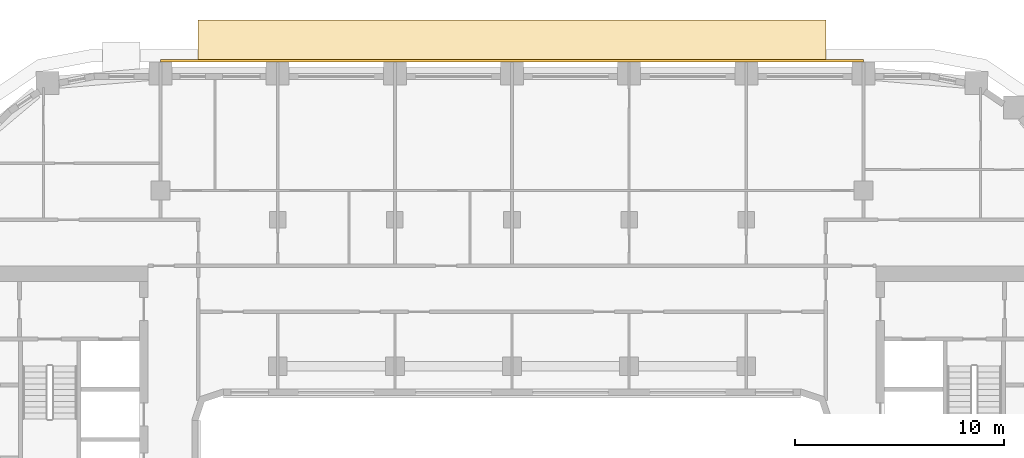
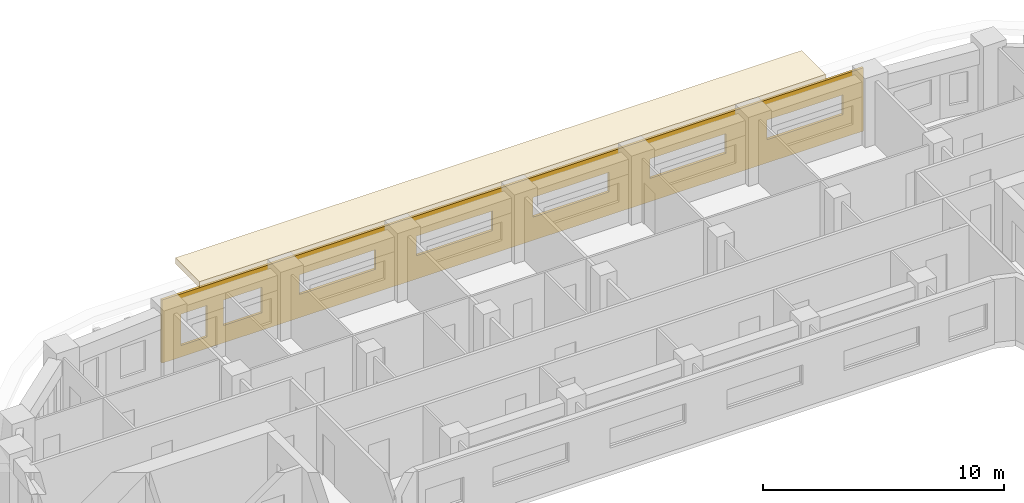
# One storey, part 21 of 22: 2 coverings.
"""IFC4 building model written with IfcOpenShell, lengths in metres."""

from ifc_helpers import new_model, si_unit, direction, frame, origin, place, context, subcontext, project, spatial, polyline, outline, extrude, material, layer, layer_set, type_object, element, save


model = new_model("IFC4")

# Units and contexts
model_context = context("Model", 3, precision=1e-05, world=origin(), true_north=direction((0.0, 1.0)))
body_context = subcontext(model_context, "Body", "Model", "MODEL_VIEW")
ifc_project = project(units=[si_unit("LENGTHUNIT", "METRE"), si_unit("AREAUNIT", "SQUARE_METRE"), si_unit("VOLUMEUNIT", "CUBIC_METRE"), si_unit("PLANEANGLEUNIT", "RADIAN"), si_unit("MASSUNIT", "GRAM", prefix="KILO")], contexts=[model_context])

# Site, building, storey
site_placement = place(None, origin())
site = spatial("IfcSite", under=ifc_project, at=site_placement, CompositionType="ELEMENT")
building_placement = place(site_placement, origin())
building = spatial("IfcBuilding", under=site, at=building_placement, Name="Kiln Ring Residences", CompositionType="ELEMENT")
storey_placement = place(building_placement, frame((0.0, 0.0, 150.10009765625)))
storey = spatial("IfcBuildingStorey", under=building, at=storey_placement, Name="L38", CompositionType="ELEMENT", Elevation=150.10009765625)

# Coverings
ifc_material_1 = material(Name="Brick masonry, dark clay brick", Category="masonry")
ifc_layer_1 = layer(ifc_material_1, 0.1201171875)
ifc_layer_set_1 = layer_set([ifc_layer_1], Name="RAINSCREEN PANEL 120")
covering_type_1 = type_object("IfcCoveringType", Name="RAINSCREEN PANEL 120", PredefinedType="CLADDING", material=ifc_layer_set_1)
covering_1_placement = place(storey_placement, frame((16.800048828125, 23.010009765625, 0.0), z_axis=(0.0, 0.0, 1.0), x_axis=(-1.0, 0.0, 0.0)))
element("IfcCovering", 1, at=covering_1_placement, inside=storey, type_object=covering_type_1, Name="RAINSCREEN L38", PredefinedType="CLADDING", context=body_context, shape_type="SweptSolid", body=[
    extrude(outline(polyline([(0.0, 0.0), (33.60009765625, 0.0), (33.60009765625, 3.199951171875), (0.0, 3.199951171875), (0.0, 0.0)]), holes=[polyline([(32.6826171875, 0.579833984375), (32.6826171875, 2.169921875), (31.4423828125, 2.169921875), (31.4423828125, 0.579833984375), (32.6826171875, 0.579833984375)]), polyline([(28.8173828125, 0.8798828125), (30.657470703125, 0.8798828125), (30.657470703125, 2.169921875), (28.8173828125, 2.169921875), (28.8173828125, 0.8798828125)]), polyline([(0.97998046875, 1.179931640625), (4.6201171875, 1.179931640625), (4.6201171875, 2.169921875), (0.97998046875, 2.169921875), (0.97998046875, 1.179931640625)]), polyline([(6.580078125, 1.179931640625), (10.219970703125, 1.179931640625), (10.219970703125, 2.169921875), (6.580078125, 2.169921875), (6.580078125, 1.179931640625)]), polyline([(12.179931640625, 1.179931640625), (15.820068359375, 1.179931640625), (15.820068359375, 2.169921875), (12.179931640625, 2.169921875), (12.179931640625, 1.179931640625)]), polyline([(17.780029296875, 1.179931640625), (21.419921875, 1.179931640625), (21.419921875, 2.169921875), (17.780029296875, 2.169921875), (17.780029296875, 1.179931640625)]), polyline([(23.3798828125, 1.179931640625), (27.02001953125, 1.179931640625), (27.02001953125, 2.169921875), (23.3798828125, 2.169921875), (23.3798828125, 1.179931640625)])]), frame((0.0, 0.06005859375, 0.0), z_axis=(0.0, -1.0, 0.0), x_axis=(1.0, 0.0, 0.0)), (0.0, 0.0, 1.0), 0.1201171875),
])
ifc_material_2 = material(Name="Black powder-coated steel", Category="steel")
ifc_layer_2 = layer(ifc_material_2, 0.300048828125)
ifc_layer_set_2 = layer_set([ifc_layer_2], Name="SUNSHADE BAND 2000")
covering_type_2 = type_object("IfcCoveringType", Name="SUNSHADE BAND 2000", PredefinedType="CLADDING", material=ifc_layer_set_2)
covering_2_placement = place(storey_placement, frame((0.0, 0.0, 3.199951171875)))
element("IfcCovering", 2, at=covering_2_placement, inside=storey, type_object=covering_type_2, Name="SUNSHADE BAND L38", PredefinedType="CLADDING", context=body_context, shape_type="SweptSolid", body=[
    extrude(outline(polyline([(15.0, 24.949951171875), (-15.0, 24.949951171875), (-15.0, 22.949951171875), (15.0, 22.949951171875), (15.0, 24.949951171875)])), origin(), (0.0, 0.0, 1.0), 0.300048828125),
])

save(model, "model.ifc")
